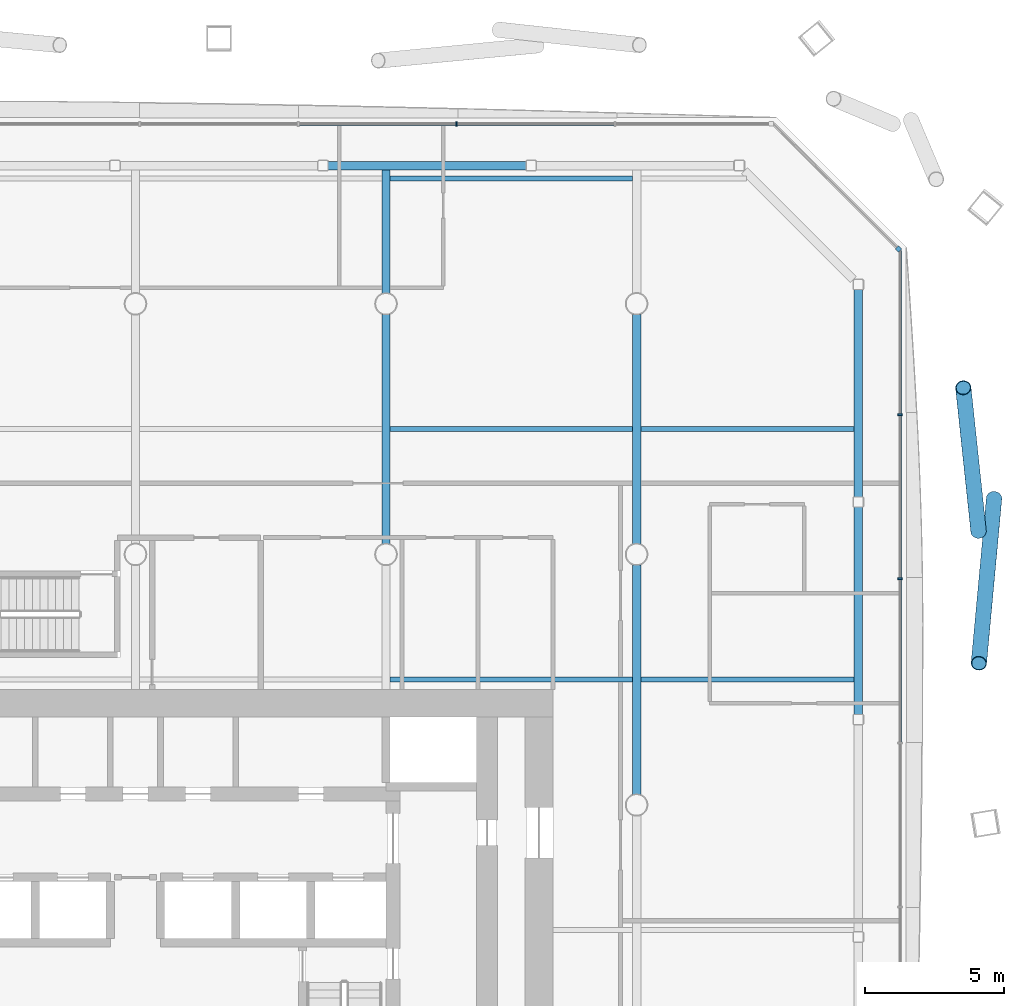
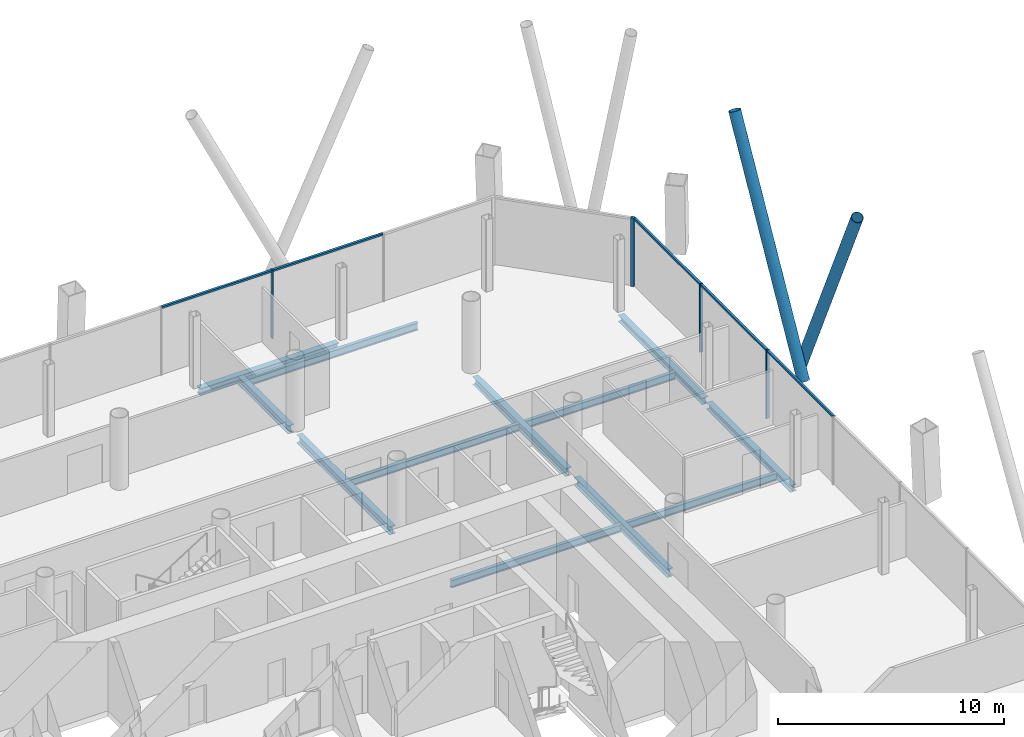
# One storey, part 11 of 22: 12 beams, 11 members, 3 elements without a shape of their own.
"""IFC4 building model written with IfcOpenShell, lengths in metres."""

from ifc_helpers import new_model, si_unit, direction, frame, origin, origin_2d, place, context, subcontext, project, spatial, rectangle, hollow_circle, i_section, extrude, material, material_profile, profile_set, type_object, element, aggregate, save


model = new_model("IFC4")

# Units and contexts
model_context = context("Model", 3, precision=1e-05, world=origin(), true_north=direction((0.0, 1.0)))
body_context = subcontext(model_context, "Body", "Model", "MODEL_VIEW")
ifc_project = project(units=[si_unit("LENGTHUNIT", "METRE"), si_unit("AREAUNIT", "SQUARE_METRE"), si_unit("VOLUMEUNIT", "CUBIC_METRE"), si_unit("PLANEANGLEUNIT", "RADIAN"), si_unit("MASSUNIT", "GRAM", prefix="KILO")], contexts=[model_context])

# Site, building, storey
site_placement = place(None, origin())
site = spatial("IfcSite", under=ifc_project, at=site_placement, CompositionType="ELEMENT")
building_placement = place(site_placement, origin())
building = spatial("IfcBuilding", under=site, at=building_placement, Name="Tskaro Facet Tower", CompositionType="ELEMENT")
storey_placement = place(building_placement, frame((0.0, 0.0, 85.5)))
storey = spatial("IfcBuildingStorey", under=building, at=storey_placement, Name="L20", CompositionType="ELEMENT", Elevation=85.5)

# Members
ifc_material_1 = material(Name="Steel S355J2H", Category="steel")
ifc_material_profile_1 = material_profile(ifc_material_1, hollow_circle(Radius=0.279541015625, WallThickness=0.02490234375, at=origin_2d()), Name="CHS 559x25")
ifc_profile_set_1 = profile_set([ifc_material_profile_1], Name="Steel S355J2H")
member_type_1 = type_object("IfcMemberType", Name="CHS 559x25 brace", PredefinedType="BRACE", material=ifc_profile_set_1)
member_1_placement = place(storey_placement, frame((30.283447265625, 9.83154296875, 0.0), z_axis=(-0.042811250871, 0.402814951381, 0.914279668232), x_axis=(-0.994399659751, -0.105684987993, 0.0)))
element("IfcMember", 1, at=member_1_placement, inside=storey, type_object=member_type_1, Name="CHS 559x25 XB05A/2", PredefinedType="BRACE", context=body_context, shape_type="SweptSolid", body=[
    extrude(hollow_circle(Radius=0.279541015625, WallThickness=0.02490234375, at=origin_2d()), origin(), (0.0, 0.0, 1.0), 12.796875),
])
member_2_placement = place(storey_placement, frame((30.842529296875, 11.010986328125, 0.0), z_axis=(-0.041757457911, -0.451333949318, 0.891377574826), x_axis=(0.995747299253, -0.092126630407, 0.0)))
element("IfcMember", 2, at=member_2_placement, inside=storey, type_object=member_type_1, Name="CHS 559x25 XB05B/2", PredefinedType="BRACE", context=body_context, shape_type="SweptSolid", body=[
    extrude(hollow_circle(Radius=0.279541015625, WallThickness=0.02490234375, at=origin_2d()), origin(), (0.0, 0.0, 1.0), 13.125732421875),
])

# Curtain wall, member
ifc_material_2 = material(Name="Bronze anodised aluminium 6063-T6", Category="aluminium")
curtain_wall_type = type_object("IfcCurtainWallType", Name="Bronze office curtain wall (FW1)", PredefinedType="NOTDEFINED", material=ifc_material_2)
curtain_wall_1_placement = place(storey_placement, origin())
curtain_wall_1 = element("IfcCurtainWall", 3, at=curtain_wall_1_placement, inside=storey, type_object=curtain_wall_type, Name="FW1 north-east facet L20", PredefinedType="NOTDEFINED")
ifc_material_profile_2 = material_profile(ifc_material_2, rectangle(XDim=0.159912109375, YDim=0.159912109375, at=origin_2d()), Name="Corner post 160x160")
ifc_profile_set_2 = profile_set([ifc_material_profile_2], Name="Bronze anodised aluminium 6063-T6")
member_type_2 = type_object("IfcMemberType", Name="FW1 bronze corner post 160x160", PredefinedType="MULLION", material=ifc_profile_set_2)
member_3_placement = place(storey_placement, frame((27.406494140625, 19.969482421875, 0.0), z_axis=(0.0, 0.0, 1.0), x_axis=(-0.707106781187, 0.707106781187, 0.0)))
member_3 = element("IfcMember", 4, at=member_3_placement, type_object=member_type_2, Name="FW1 north-east corner post", PredefinedType="MULLION", context=body_context, shape_type="SweptSolid", body=[
    extrude(rectangle(XDim=0.159912109375, YDim=0.159912109375, at=origin_2d()), origin(), (0.0, 0.0, 1.0), 3.699951171875),
])
aggregate(curtain_wall_1, [member_3])

# Curtain wall, members
curtain_wall_2_placement = place(storey_placement, origin())
curtain_wall_2 = element("IfcCurtainWall", 5, at=curtain_wall_2_placement, inside=storey, type_object=curtain_wall_type, Name="FW1 east facet L20", PredefinedType="NOTDEFINED")
ifc_material_profile_3 = material_profile(ifc_material_2, rectangle(XDim=0.06005859375, YDim=0.159912109375, at=origin_2d()), Name="Mullion 60x160")
ifc_profile_set_3 = profile_set([ifc_material_profile_3], Name="Bronze anodised aluminium 6063-T6")
member_type_3 = type_object("IfcMemberType", Name="FW1 bronze mullion 60x160", PredefinedType="MULLION", material=ifc_profile_set_3)
member_4_placement = place(storey_placement, frame((27.462890625, 8.1240234375, 0.0), z_axis=(0.0, 0.0, 1.0), x_axis=(0.0, 1.0, 0.0)))
member_4 = element("IfcMember", 6, at=member_4_placement, type_object=member_type_3, Name="FW1 east mullion 5", PredefinedType="MULLION", context=body_context, shape_type="SweptSolid", body=[
    extrude(rectangle(XDim=0.06005859375, YDim=0.159912109375, at=origin_2d()), origin(), (0.0, 0.0, 1.0), 3.699951171875),
])
member_5_placement = place(storey_placement, frame((27.462890625, 14.0185546875, 0.0), z_axis=(0.0, 0.0, 1.0), x_axis=(0.0, 1.0, 0.0)))
member_5 = element("IfcMember", 7, at=member_5_placement, type_object=member_type_3, Name="FW1 east mullion 6", PredefinedType="MULLION", context=body_context, shape_type="SweptSolid", body=[
    extrude(rectangle(XDim=0.06005859375, YDim=0.159912109375, at=origin_2d()), origin(), (0.0, 0.0, 1.0), 3.699951171875),
])

# Curtain wall, member
curtain_wall_3_placement = place(storey_placement, origin())
curtain_wall_3 = element("IfcCurtainWall", 8, at=curtain_wall_3_placement, inside=storey, type_object=curtain_wall_type, Name="FW1 north facet L20", PredefinedType="NOTDEFINED")
member_6_placement = place(storey_placement, frame((11.5341796875, 24.462890625, 0.0), z_axis=(0.0, 0.0, 1.0), x_axis=(-1.0, 0.0, 0.0)))
member_6 = element("IfcMember", 9, at=member_6_placement, type_object=member_type_3, Name="FW1 north mullion 2", PredefinedType="MULLION", context=body_context, shape_type="SweptSolid", body=[
    extrude(rectangle(XDim=0.06005859375, YDim=0.159912109375, at=origin_2d()), origin(), (0.0, 0.0, 1.0), 3.699951171875),
])

# Member
ifc_material_profile_4 = material_profile(ifc_material_2, rectangle(XDim=0.1201171875, YDim=0.10009765625, at=origin_2d()), Name="Transom 120x100")
ifc_profile_set_4 = profile_set([ifc_material_profile_4], Name="Bronze anodised aluminium 6063-T6")
member_type_4 = type_object("IfcMemberType", Name="FW1 bronze transom 120x100", PredefinedType="USERDEFINED", material=ifc_profile_set_4)
member_7_placement = place(storey_placement, frame((27.462890625, 2.259765625, 3.64990234375), z_axis=(0.0, 1.0, 0.0), x_axis=(-1.0, 0.0, 0.0)))
member_7 = element("IfcMember", 10, at=member_7_placement, type_object=member_type_4, Name="FW1 east transom 5.1", ObjectType="TRANSOM", PredefinedType="USERDEFINED", context=body_context, shape_type="SweptSolid", body=[
    extrude(rectangle(XDim=0.1201171875, YDim=0.10009765625, at=origin_2d()), origin(), (0.0, 0.0, 1.0), 5.83447265625),
])

member_8_placement = place(storey_placement, frame((27.462890625, 8.154052734375, 3.64990234375), z_axis=(0.0, 1.0, 0.0), x_axis=(-1.0, 0.0, 0.0)))
member_8 = element("IfcMember", 11, at=member_8_placement, type_object=member_type_4, Name="FW1 east transom 6.1", ObjectType="TRANSOM", PredefinedType="USERDEFINED", context=body_context, shape_type="SweptSolid", body=[
    extrude(rectangle(XDim=0.1201171875, YDim=0.10009765625, at=origin_2d()), origin(), (0.0, 0.0, 1.0), 5.83447265625),
])

member_9_placement = place(storey_placement, frame((27.462890625, 14.048583984375, 3.64990234375), z_axis=(0.0, 1.0, 0.0), x_axis=(-1.0, 0.0, 0.0)))
member_9 = element("IfcMember", 12, at=member_9_placement, type_object=member_type_4, Name="FW1 east transom 7.1", ObjectType="TRANSOM", PredefinedType="USERDEFINED", context=body_context, shape_type="SweptSolid", body=[
    extrude(rectangle(XDim=0.1201171875, YDim=0.10009765625, at=origin_2d()), origin(), (0.0, 0.0, 1.0), 5.864501953125),
])

aggregate(curtain_wall_2, [member_4, member_5, member_7, member_8, member_9])

member_10_placement = place(storey_placement, frame((17.193603515625, 24.462890625, 3.64990234375), z_axis=(-1.0, 0.0, 0.0), x_axis=(0.0, -1.0, 0.0)))
member_10 = element("IfcMember", 13, at=member_10_placement, type_object=member_type_4, Name="FW1 north transom 2.1", ObjectType="TRANSOM", PredefinedType="USERDEFINED", context=body_context, shape_type="SweptSolid", body=[
    extrude(rectangle(XDim=0.1201171875, YDim=0.10009765625, at=origin_2d()), origin(), (0.0, 0.0, 1.0), 5.62939453125),
])

member_11_placement = place(storey_placement, frame((11.504150390625, 24.462890625, 3.64990234375), z_axis=(-1.0, 0.0, 0.0), x_axis=(0.0, -1.0, 0.0)))
member_11 = element("IfcMember", 14, at=member_11_placement, type_object=member_type_4, Name="FW1 north transom 3.1", ObjectType="TRANSOM", PredefinedType="USERDEFINED", context=body_context, shape_type="SweptSolid", body=[
    extrude(rectangle(XDim=0.1201171875, YDim=0.10009765625, at=origin_2d()), origin(), (0.0, 0.0, 1.0), 5.62939453125),
])

aggregate(curtain_wall_3, [member_6, member_10, member_11])

# Beams
ifc_material_3 = material(Name="Steel S355J2", Category="steel")
ifc_material_profile_5 = material_profile(ifc_material_3, i_section(OverallWidth=0.300048828125, OverallDepth=0.360107421875, WebThickness=0.012451171875, FlangeThickness=0.0224609375, FilletRadius=0.027099609375, at=origin_2d()), Name="HE 360 B")
ifc_profile_set_5 = profile_set([ifc_material_profile_5], Name="Steel S355J2")
beam_type_1 = type_object("IfcBeamType", Name="HE 360 B ring beam", PredefinedType="BEAM", material=ifc_profile_set_5)
for number, where, z_axis, x_axis, name in (
    (15, (25.965087890625, 3.248046875, -0.320068359375), (0.0, 1.0, 0.0), (-1.0, 0.0, 0.0), "HE 360 B EB10-2"),
    (16, (25.965087890625, 11.05908203125, -0.320068359375), (0.0, 1.0, 0.0), (-1.0, 0.0, 0.0), "HE 360 B EB11-2"),
):
    element("IfcBeam", number, at=place(storey_placement, frame(where, z_axis=z_axis, x_axis=x_axis)), inside=storey, type_object=beam_type_1, Name=name, PredefinedType="BEAM", context=body_context, shape_type="SweptSolid", body=[
        extrude(i_section(OverallWidth=0.300048828125, OverallDepth=0.360107421875, WebThickness=0.012451171875, FlangeThickness=0.0224609375, FilletRadius=0.027099609375, at=origin_2d()), origin(), (0.0, 0.0, 1.0), 7.450927734375),
    ])
beam_1_placement = place(storey_placement, frame((14.033935546875, 22.965087890625, -0.320068359375), z_axis=(-1.0, 0.0, 0.0), x_axis=(0.0, -1.0, 0.0)))
element("IfcBeam", 17, at=beam_1_placement, inside=storey, type_object=beam_type_1, Name="HE 360 B EB14-2", PredefinedType="BEAM", context=body_context, shape_type="SweptSolid", body=[
    extrude(i_section(OverallWidth=0.300048828125, OverallDepth=0.360107421875, WebThickness=0.012451171875, FlangeThickness=0.0224609375, FilletRadius=0.027099609375, at=origin_2d()), origin(), (0.0, 0.0, 1.0), 7.115966796875),
])
ifc_material_profile_6 = material_profile(ifc_material_3, i_section(OverallWidth=0.300048828125, OverallDepth=0.43994140625, WebThickness=0.011474609375, FlangeThickness=0.02099609375, FilletRadius=0.027099609375, at=origin_2d()), Name="HE 450 A")
ifc_profile_set_6 = profile_set([ifc_material_profile_6], Name="Steel S355J2")
beam_type_2 = type_object("IfcBeamType", Name="HE 450 A girder", PredefinedType="BEAM", material=ifc_profile_set_6)
beam_2_placement = place(storey_placement, frame((9.0, 9.37646484375, -0.360107421875), z_axis=(0.0, 1.0, 0.0), x_axis=(-1.0, 0.0, 0.0)))
element("IfcBeam", 18, at=beam_2_placement, inside=storey, type_object=beam_type_2, Name="HE 450 A GB5-4-2", PredefinedType="BEAM", context=body_context, shape_type="SweptSolid", body=[
    extrude(i_section(OverallWidth=0.300048828125, OverallDepth=0.43994140625, WebThickness=0.011474609375, FlangeThickness=0.02099609375, FilletRadius=0.027099609375, at=origin_2d()), origin(), (0.0, 0.0, 1.0), 8.2470703125),
])
beam_3_placement = place(storey_placement, frame((9.0, 18.37646484375, -0.360107421875), z_axis=(0.0, 1.0, 0.0), x_axis=(-1.0, 0.0, 0.0)))
element("IfcBeam", 19, at=beam_3_placement, inside=storey, type_object=beam_type_2, Name="HE 450 A GB5-5-2", PredefinedType="BEAM", context=body_context, shape_type="SweptSolid", body=[
    extrude(i_section(OverallWidth=0.300048828125, OverallDepth=0.43994140625, WebThickness=0.011474609375, FlangeThickness=0.02099609375, FilletRadius=0.027099609375, at=origin_2d()), origin(), (0.0, 0.0, 1.0), 4.4384765625),
])
for number, where, z_axis, x_axis, name in (
    (20, (18.0, 0.37646484375, -0.360107421875), (0.0, 1.0, 0.0), (-1.0, 0.0, 0.0), "HE 450 A GB6-4-2"),
    (21, (18.0, 9.37646484375, -0.360107421875), (0.0, 1.0, 0.0), (-1.0, 0.0, 0.0), "HE 450 A GB6-5-2"),
):
    element("IfcBeam", number, at=place(storey_placement, frame(where, z_axis=z_axis, x_axis=x_axis)), inside=storey, type_object=beam_type_2, Name=name, PredefinedType="BEAM", context=body_context, shape_type="SweptSolid", body=[
        extrude(i_section(OverallWidth=0.300048828125, OverallDepth=0.43994140625, WebThickness=0.011474609375, FlangeThickness=0.02099609375, FilletRadius=0.027099609375, at=origin_2d()), origin(), (0.0, 0.0, 1.0), 8.2470703125),
    ])
ifc_material_profile_7 = material_profile(ifc_material_3, i_section(OverallWidth=0.179931640625, OverallDepth=0.39990234375, WebThickness=0.008544921875, FlangeThickness=0.013427734375, FilletRadius=0.02099609375, at=origin_2d()), Name="IPE 400")
ifc_profile_set_7 = profile_set([ifc_material_profile_7], Name="Steel S355J2")
beam_type_3 = type_object("IfcBeamType", Name="IPE 400 secondary beam", PredefinedType="BEAM", material=ifc_profile_set_7)
beam_4_placement = place(storey_placement, frame((9.14990234375, 4.5, -0.340087890625), z_axis=(1.0, 0.0, 0.0), x_axis=(0.0, 1.0, 0.0)))
element("IfcBeam", 22, at=beam_4_placement, inside=storey, type_object=beam_type_3, Name="IPE 400 SB4a-4-2", PredefinedType="BEAM", context=body_context, shape_type="SweptSolid", body=[
    extrude(i_section(OverallWidth=0.179931640625, OverallDepth=0.39990234375, WebThickness=0.008544921875, FlangeThickness=0.013427734375, FilletRadius=0.02099609375, at=origin_2d()), origin(), (0.0, 0.0, 1.0), 8.7001953125),
])
beam_5_placement = place(storey_placement, frame((18.14990234375, 4.5, -0.340087890625), z_axis=(1.0, 0.0, 0.0), x_axis=(0.0, 1.0, 0.0)))
element("IfcBeam", 23, at=beam_5_placement, inside=storey, type_object=beam_type_3, Name="IPE 400 SB4a-5-2", PredefinedType="BEAM", context=body_context, shape_type="SweptSolid", body=[
    extrude(i_section(OverallWidth=0.179931640625, OverallDepth=0.39990234375, WebThickness=0.008544921875, FlangeThickness=0.013427734375, FilletRadius=0.02099609375, at=origin_2d()), origin(), (0.0, 0.0, 1.0), 7.6650390625),
])
beam_6_placement = place(storey_placement, frame((9.14990234375, 13.5, -0.340087890625), z_axis=(1.0, 0.0, 0.0), x_axis=(0.0, 1.0, 0.0)))
element("IfcBeam", 24, at=beam_6_placement, inside=storey, type_object=beam_type_3, Name="IPE 400 SB5a-4-2", PredefinedType="BEAM", context=body_context, shape_type="SweptSolid", body=[
    extrude(i_section(OverallWidth=0.179931640625, OverallDepth=0.39990234375, WebThickness=0.008544921875, FlangeThickness=0.013427734375, FilletRadius=0.02099609375, at=origin_2d()), origin(), (0.0, 0.0, 1.0), 8.7001953125),
])
beam_7_placement = place(storey_placement, frame((18.14990234375, 13.5, -0.340087890625), z_axis=(1.0, 0.0, 0.0), x_axis=(0.0, 1.0, 0.0)))
element("IfcBeam", 25, at=beam_7_placement, inside=storey, type_object=beam_type_3, Name="IPE 400 SB5a-5-2", PredefinedType="BEAM", context=body_context, shape_type="SweptSolid", body=[
    extrude(i_section(OverallWidth=0.179931640625, OverallDepth=0.39990234375, WebThickness=0.008544921875, FlangeThickness=0.013427734375, FilletRadius=0.02099609375, at=origin_2d()), origin(), (0.0, 0.0, 1.0), 7.6650390625),
])
beam_8_placement = place(storey_placement, frame((9.14990234375, 22.5, -0.340087890625), z_axis=(1.0, 0.0, 0.0), x_axis=(0.0, 1.0, 0.0)))
element("IfcBeam", 26, at=beam_8_placement, inside=storey, type_object=beam_type_3, Name="IPE 400 SB6a-4-2", PredefinedType="BEAM", context=body_context, shape_type="SweptSolid", body=[
    extrude(i_section(OverallWidth=0.179931640625, OverallDepth=0.39990234375, WebThickness=0.008544921875, FlangeThickness=0.013427734375, FilletRadius=0.02099609375, at=origin_2d()), origin(), (0.0, 0.0, 1.0), 8.7001953125),
])

save(model, "model.ifc")
